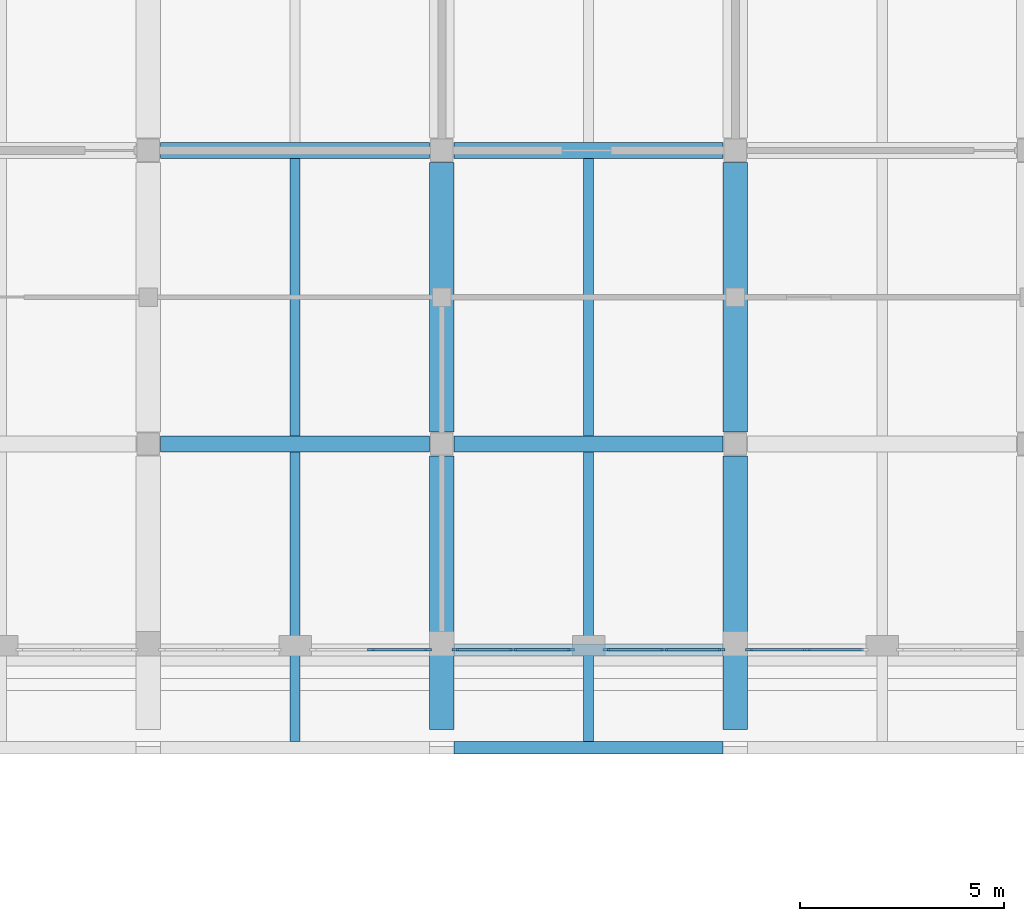
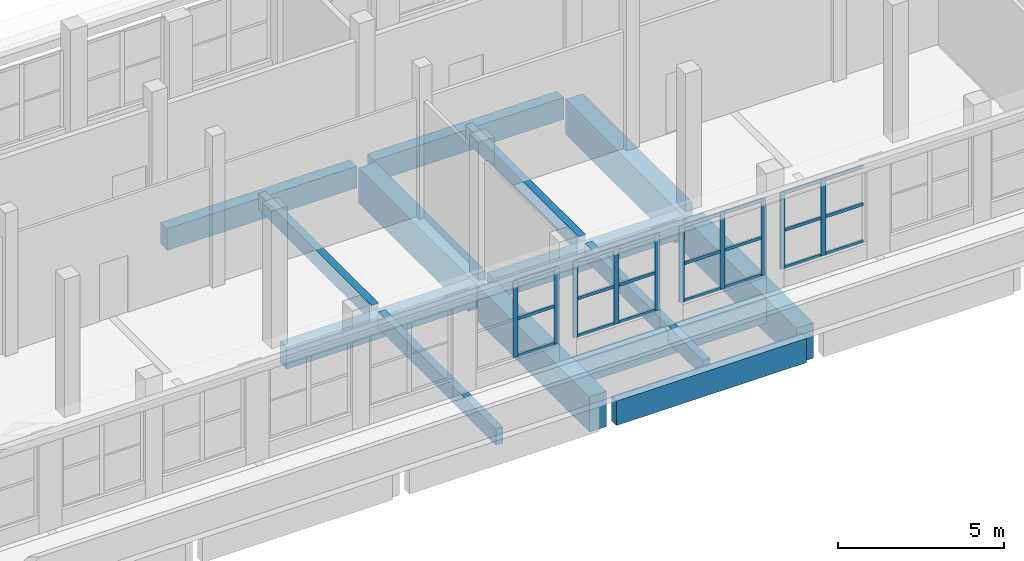
# One storey, part 3 of 30: 31 members, 14 beams, 4 elements without a shape of their own.
"""IFC4 building model written with IfcOpenShell, lengths in metres."""

from ifc_helpers import new_model, si_unit, direction, frame, origin, origin_2d, place, context, subcontext, project, spatial, rectangle, extrude, material, layer, layer_set, material_profile, profile_set, type_object, element, aggregate, save


model = new_model("IFC4")

# Units and contexts
model_context = context("Model", 3, precision=1e-05, world=origin(), true_north=direction((0.0, 1.0)))
body_context = subcontext(model_context, "Body", "Model", "MODEL_VIEW")
ifc_project = project(units=[si_unit("LENGTHUNIT", "METRE"), si_unit("AREAUNIT", "SQUARE_METRE"), si_unit("VOLUMEUNIT", "CUBIC_METRE"), si_unit("PLANEANGLEUNIT", "RADIAN"), si_unit("MASSUNIT", "GRAM", prefix="KILO")], contexts=[model_context])

# Site, building, storey
site_placement = place(None, origin())
site = spatial("IfcSite", under=ifc_project, at=site_placement, CompositionType="ELEMENT")
building_placement = place(site_placement, origin())
building = spatial("IfcBuilding", under=site, at=building_placement, Name="Ussher Court Research Institute", CompositionType="ELEMENT")
storey_placement = place(building_placement, frame((0.0, 0.0, 27.89990234375)))
storey = spatial("IfcBuildingStorey", under=building, at=storey_placement, Name="L06", CompositionType="ELEMENT", Elevation=27.89990234375)

# Curtain wall, members
ifc_material_1 = material(Name="Bronze anodised aluminium with insulated low-e glass", Category="aluminium")
ifc_layer = layer(ifc_material_1, 0.1201171875)
ifc_layer_set = layer_set([ifc_layer], Name="Bronze anodised aluminium with insulated low-e glass")
curtain_wall_type = type_object("IfcCurtainWallType", Name="Curtain wall attic gallery glazing", PredefinedType="NOTDEFINED", material=ifc_layer_set)
curtain_wall_1_placement = place(storey_placement, origin())
curtain_wall_1 = element("IfcCurtainWall", 1, at=curtain_wall_1_placement, inside=storey, type_object=curtain_wall_type, Name="Curtain wall CW11 L06", PredefinedType="NOTDEFINED")
ifc_material_2 = material(Name="Bronze anodised aluminium", Category="aluminium")
ifc_material_profile_1 = material_profile(ifc_material_2, rectangle(XDim=0.06005859375, YDim=0.159912109375, at=origin_2d()), Name="Mullion 60x160")
ifc_profile_set_1 = profile_set([ifc_material_profile_1], Name="Bronze anodised aluminium")
member_type_1 = type_object("IfcMemberType", Name="Mullion 60x160", PredefinedType="MULLION", material=ifc_profile_set_1)
member_1_placement = place(storey_placement, frame((33.550048828125, 70.949951171875, 0.60009765625), z_axis=(0.0, 0.0, 1.0), x_axis=(0.0, -1.0, 0.0)))
member_1 = element("IfcMember", 2, at=member_1_placement, type_object=member_type_1, Name="CW11 mullion 2", PredefinedType="MULLION", context=body_context, shape_type="SweptSolid", body=[
    extrude(rectangle(XDim=0.06005859375, YDim=0.159912109375, at=origin_2d()), origin(), (0.0, 0.0, 1.0), 2.800048828125),
])
member_2_placement = place(storey_placement, frame((32.1298828125, 70.949951171875, 0.60009765625), z_axis=(0.0, 0.0, 1.0), x_axis=(0.0, -1.0, 0.0)))
member_2 = element("IfcMember", 3, at=member_2_placement, type_object=member_type_1, Name="CW11 mullion 3", PredefinedType="MULLION", context=body_context, shape_type="SweptSolid", body=[
    extrude(rectangle(XDim=0.06005859375, YDim=0.159912109375, at=origin_2d()), origin(), (0.0, 0.0, 1.0), 2.800048828125),
])

curtain_wall_2_placement = place(storey_placement, origin())
curtain_wall_2 = element("IfcCurtainWall", 4, at=curtain_wall_2_placement, inside=storey, type_object=curtain_wall_type, Name="Curtain wall CW11 L06", PredefinedType="NOTDEFINED")
member_3_placement = place(storey_placement, frame((31.469970703125, 70.949951171875, 0.60009765625), z_axis=(0.0, 0.0, 1.0), x_axis=(0.0, -1.0, 0.0)))
member_3 = element("IfcMember", 5, at=member_3_placement, type_object=member_type_1, Name="CW11 mullion 1", PredefinedType="MULLION", context=body_context, shape_type="SweptSolid", body=[
    extrude(rectangle(XDim=0.06005859375, YDim=0.159912109375, at=origin_2d()), origin(), (0.0, 0.0, 1.0), 2.800048828125),
])
member_4_placement = place(storey_placement, frame((30.050048828125, 70.949951171875, 0.60009765625), z_axis=(0.0, 0.0, 1.0), x_axis=(0.0, -1.0, 0.0)))
member_4 = element("IfcMember", 6, at=member_4_placement, type_object=member_type_1, Name="CW11 mullion 2", PredefinedType="MULLION", context=body_context, shape_type="SweptSolid", body=[
    extrude(rectangle(XDim=0.06005859375, YDim=0.159912109375, at=origin_2d()), origin(), (0.0, 0.0, 1.0), 2.800048828125),
])
member_5_placement = place(storey_placement, frame((28.6298828125, 70.949951171875, 0.60009765625), z_axis=(0.0, 0.0, 1.0), x_axis=(0.0, -1.0, 0.0)))
member_5 = element("IfcMember", 7, at=member_5_placement, type_object=member_type_1, Name="CW11 mullion 3", PredefinedType="MULLION", context=body_context, shape_type="SweptSolid", body=[
    extrude(rectangle(XDim=0.06005859375, YDim=0.159912109375, at=origin_2d()), origin(), (0.0, 0.0, 1.0), 2.800048828125),
])

curtain_wall_3_placement = place(storey_placement, origin())
curtain_wall_3 = element("IfcCurtainWall", 8, at=curtain_wall_3_placement, inside=storey, type_object=curtain_wall_type, Name="Curtain wall CW11 L06", PredefinedType="NOTDEFINED")
member_6_placement = place(storey_placement, frame((27.77001953125, 70.949951171875, 0.60009765625), z_axis=(0.0, 0.0, 1.0), x_axis=(0.0, -1.0, 0.0)))
member_6 = element("IfcMember", 9, at=member_6_placement, type_object=member_type_1, Name="CW11 mullion 1", PredefinedType="MULLION", context=body_context, shape_type="SweptSolid", body=[
    extrude(rectangle(XDim=0.06005859375, YDim=0.159912109375, at=origin_2d()), origin(), (0.0, 0.0, 1.0), 2.800048828125),
])
member_7_placement = place(storey_placement, frame((26.35009765625, 70.949951171875, 0.60009765625), z_axis=(0.0, 0.0, 1.0), x_axis=(0.0, -1.0, 0.0)))
member_7 = element("IfcMember", 10, at=member_7_placement, type_object=member_type_1, Name="CW11 mullion 2", PredefinedType="MULLION", context=body_context, shape_type="SweptSolid", body=[
    extrude(rectangle(XDim=0.06005859375, YDim=0.159912109375, at=origin_2d()), origin(), (0.0, 0.0, 1.0), 2.800048828125),
])
member_8_placement = place(storey_placement, frame((24.929931640625, 70.949951171875, 0.60009765625), z_axis=(0.0, 0.0, 1.0), x_axis=(0.0, -1.0, 0.0)))
member_8 = element("IfcMember", 11, at=member_8_placement, type_object=member_type_1, Name="CW11 mullion 3", PredefinedType="MULLION", context=body_context, shape_type="SweptSolid", body=[
    extrude(rectangle(XDim=0.06005859375, YDim=0.159912109375, at=origin_2d()), origin(), (0.0, 0.0, 1.0), 2.800048828125),
])

curtain_wall_4_placement = place(storey_placement, origin())
curtain_wall_4 = element("IfcCurtainWall", 12, at=curtain_wall_4_placement, inside=storey, type_object=curtain_wall_type, Name="Curtain wall CW11 L06", PredefinedType="NOTDEFINED")
member_9_placement = place(storey_placement, frame((24.27001953125, 70.949951171875, 0.60009765625), z_axis=(0.0, 0.0, 1.0), x_axis=(0.0, -1.0, 0.0)))
member_9 = element("IfcMember", 13, at=member_9_placement, type_object=member_type_1, Name="CW11 mullion 1", PredefinedType="MULLION", context=body_context, shape_type="SweptSolid", body=[
    extrude(rectangle(XDim=0.06005859375, YDim=0.159912109375, at=origin_2d()), origin(), (0.0, 0.0, 1.0), 2.800048828125),
])
member_10_placement = place(storey_placement, frame((22.85009765625, 70.949951171875, 0.60009765625), z_axis=(0.0, 0.0, 1.0), x_axis=(0.0, -1.0, 0.0)))
member_10 = element("IfcMember", 14, at=member_10_placement, type_object=member_type_1, Name="CW11 mullion 2", PredefinedType="MULLION", context=body_context, shape_type="SweptSolid", body=[
    extrude(rectangle(XDim=0.06005859375, YDim=0.159912109375, at=origin_2d()), origin(), (0.0, 0.0, 1.0), 2.800048828125),
])

# Beams
ifc_material_3 = material(Name="Concrete C35/45", Category="concrete")
ifc_material_profile_2 = material_profile(ifc_material_3, rectangle(XDim=0.25, YDim=0.60009765625, at=origin_2d()), Name="RC 250x600")
ifc_profile_set_2 = profile_set([ifc_material_profile_2], Name="Concrete C35/45")
beam_type_1 = type_object("IfcBeamType", Name="RC 250x600 beam", PredefinedType="BEAM", material=ifc_profile_set_2)
beam_1_placement = place(storey_placement, frame((21.0, 68.699951171875, -0.2998046875), z_axis=(0.0, 1.0, 0.0), x_axis=(-1.0, 0.0, 0.0)))
element("IfcBeam", 15, at=beam_1_placement, inside=storey, type_object=beam_type_1, Name="B14 V5 L06-05", PredefinedType="BEAM", context=body_context, shape_type="SweptSolid", body=[
    extrude(rectangle(XDim=0.25, YDim=0.60009765625, at=origin_2d()), origin(), (0.0, 0.0, 1.0), 7.10009765625),
])
beam_2_placement = place(storey_placement, frame((21.0, 76.199951171875, -0.2998046875), z_axis=(0.0, 1.0, 0.0), x_axis=(-1.0, 0.0, 0.0)))
element("IfcBeam", 16, at=beam_2_placement, inside=storey, type_object=beam_type_1, Name="B14 V5 L06-06", PredefinedType="BEAM", context=body_context, shape_type="SweptSolid", body=[
    extrude(rectangle(XDim=0.25, YDim=0.60009765625, at=origin_2d()), origin(), (0.0, 0.0, 1.0), 6.800048828125),
])
beam_3_placement = place(storey_placement, frame((28.199951171875, 68.699951171875, -0.2998046875), z_axis=(0.0, 1.0, 0.0), x_axis=(-1.0, 0.0, 0.0)))
element("IfcBeam", 17, at=beam_3_placement, inside=storey, type_object=beam_type_1, Name="B14 V5 L06-08", PredefinedType="BEAM", context=body_context, shape_type="SweptSolid", body=[
    extrude(rectangle(XDim=0.25, YDim=0.60009765625, at=origin_2d()), origin(), (0.0, 0.0, 1.0), 7.10009765625),
])
beam_4_placement = place(storey_placement, frame((28.199951171875, 76.199951171875, -0.2998046875), z_axis=(0.0, 1.0, 0.0), x_axis=(-1.0, 0.0, 0.0)))
element("IfcBeam", 18, at=beam_4_placement, inside=storey, type_object=beam_type_1, Name="B14 V5 L06-09", PredefinedType="BEAM", context=body_context, shape_type="SweptSolid", body=[
    extrude(rectangle(XDim=0.25, YDim=0.60009765625, at=origin_2d()), origin(), (0.0, 0.0, 1.0), 6.800048828125),
])
ifc_material_4 = material(Name="Concrete C35/45", Category="concrete")
ifc_material_profile_3 = material_profile(ifc_material_4, rectangle(XDim=0.300048828125, YDim=0.89990234375, at=origin_2d()), Name="RC 300x900")
ifc_profile_set_3 = profile_set([ifc_material_profile_3], Name="Concrete C35/45")
beam_type_2 = type_object("IfcBeamType", Name="RC 300x900 beam", PredefinedType="BEAM", material=ifc_profile_set_3)
for number, where, z_axis, x_axis, name in (
    (19, (24.89990234375, 68.550048828125, -0.64990234375), (1.0, 0.0, 0.0), (0.0, 1.0, 0.0), "SB2 V5 L06-04"),
    (20, (24.89990234375, 70.949951171875, -0.64990234375), (1.0, 0.0, 0.0), (0.0, 1.0, 0.0), "SB2 V5 L06-26"),
):
    element("IfcBeam", number, at=place(storey_placement, frame(where, z_axis=z_axis, x_axis=x_axis)), inside=storey, type_object=beam_type_2, Name=name, PredefinedType="BEAM", context=body_context, shape_type="SweptSolid", body=[
        extrude(rectangle(XDim=0.300048828125, YDim=0.89990234375, at=origin_2d()), origin(), (0.0, 0.0, 1.0), 6.60009765625),
    ])
ifc_material_5 = material(Name="Concrete C35/45", Category="concrete")
ifc_material_profile_4 = material_profile(ifc_material_5, rectangle(XDim=0.39990234375, YDim=0.800048828125, at=origin_2d()), Name="RC 400x800")
ifc_profile_set_4 = profile_set([ifc_material_profile_4], Name="Concrete C35/45")
beam_type_3 = type_object("IfcBeamType", Name="RC 400x800 beam", PredefinedType="BEAM", material=ifc_profile_set_4)
for number, where, z_axis, x_axis, name in (
    (21, (17.699951171875, 76.0, -0.599853515625), (1.0, 0.0, 0.0), (0.0, 1.0, 0.0), "B17 V5 L06-03"),
    (22, (24.89990234375, 76.0, -0.599853515625), (1.0, 0.0, 0.0), (0.0, 1.0, 0.0), "B17 V5 L06-04"),
    (23, (17.699951171875, 83.199951171875, -0.599853515625), (1.0, 0.0, 0.0), (0.0, 1.0, 0.0), "B17 V5 L06-13"),
    (24, (24.89990234375, 83.199951171875, -0.599853515625), (1.0, 0.0, 0.0), (0.0, 1.0, 0.0), "B17 V5 L06-14"),
):
    element("IfcBeam", number, at=place(storey_placement, frame(where, z_axis=z_axis, x_axis=x_axis)), inside=storey, type_object=beam_type_3, Name=name, PredefinedType="BEAM", context=body_context, shape_type="SweptSolid", body=[
        extrude(rectangle(XDim=0.39990234375, YDim=0.800048828125, at=origin_2d()), origin(), (0.0, 0.0, 1.0), 6.60009765625),
    ])
ifc_material_6 = material(Name="Concrete C35/45", Category="concrete")
ifc_material_profile_5 = material_profile(ifc_material_6, rectangle(XDim=0.60009765625, YDim=1.300048828125, at=origin_2d()), Name="RC 600x1300")
ifc_profile_set_5 = profile_set([ifc_material_profile_5], Name="Concrete C35/45")
beam_type_4 = type_object("IfcBeamType", Name="RC 600x1300 beam", PredefinedType="BEAM", material=ifc_profile_set_5)
beam_5_placement = place(storey_placement, frame((24.60009765625, 69.0, -0.849853515625), z_axis=(0.0, 1.0, 0.0), x_axis=(-1.0, 0.0, 0.0)))
element("IfcBeam", 25, at=beam_5_placement, inside=storey, type_object=beam_type_4, Name="TB1 V5 L06-08", PredefinedType="BEAM", context=body_context, shape_type="SweptSolid", body=[
    extrude(rectangle(XDim=0.60009765625, YDim=1.300048828125, at=origin_2d()), origin(), (0.0, 0.0, 1.0), 6.699951171875),
])
beam_6_placement = place(storey_placement, frame((24.60009765625, 76.300048828125, -0.849853515625), z_axis=(0.0, 1.0, 0.0), x_axis=(-1.0, 0.0, 0.0)))
element("IfcBeam", 26, at=beam_6_placement, inside=storey, type_object=beam_type_4, Name="TB1 V5 L06-09", PredefinedType="BEAM", context=body_context, shape_type="SweptSolid", body=[
    extrude(rectangle(XDim=0.60009765625, YDim=1.300048828125, at=origin_2d()), origin(), (0.0, 0.0, 1.0), 6.599853515625),
])
beam_7_placement = place(storey_placement, frame((31.800048828125, 69.0, -0.849853515625), z_axis=(0.0, 1.0, 0.0), x_axis=(-1.0, 0.0, 0.0)))
element("IfcBeam", 27, at=beam_7_placement, inside=storey, type_object=beam_type_4, Name="TB1 V5 L06-11", PredefinedType="BEAM", context=body_context, shape_type="SweptSolid", body=[
    extrude(rectangle(XDim=0.60009765625, YDim=1.300048828125, at=origin_2d()), origin(), (0.0, 0.0, 1.0), 6.699951171875),
])
beam_8_placement = place(storey_placement, frame((31.800048828125, 76.300048828125, -0.849853515625), z_axis=(0.0, 1.0, 0.0), x_axis=(-1.0, 0.0, 0.0)))
element("IfcBeam", 28, at=beam_8_placement, inside=storey, type_object=beam_type_4, Name="TB1 V5 L06-12", PredefinedType="BEAM", context=body_context, shape_type="SweptSolid", body=[
    extrude(rectangle(XDim=0.60009765625, YDim=1.300048828125, at=origin_2d()), origin(), (0.0, 0.0, 1.0), 6.599853515625),
])

# Member
ifc_material_7 = material(Name="Bronze anodised aluminium", Category="aluminium")
ifc_material_profile_6 = material_profile(ifc_material_7, rectangle(XDim=0.06005859375, YDim=0.1201171875, at=origin_2d()), Name="Transom 60x120")
ifc_profile_set_6 = profile_set([ifc_material_profile_6], Name="Bronze anodised aluminium")
member_type_2 = type_object("IfcMemberType", Name="Transom 60x120", PredefinedType="USERDEFINED", material=ifc_profile_set_6)
member_11_placement = place(storey_placement, frame((34.93994140625, 70.949951171875, 0.630126953125), z_axis=(-1.0, 0.0, 0.0), x_axis=(0.0, -1.0, 0.0)))
member_11 = element("IfcMember", 29, at=member_11_placement, type_object=member_type_2, Name="CW11 transom 1.1", ObjectType="TRANSOM", PredefinedType="USERDEFINED", context=body_context, shape_type="SweptSolid", body=[
    extrude(rectangle(XDim=0.06005859375, YDim=0.1201171875, at=origin_2d()), origin(), (0.0, 0.0, 1.0), 1.35986328125),
])

member_12_placement = place(storey_placement, frame((34.93994140625, 70.949951171875, 2.0), z_axis=(-1.0, 0.0, 0.0), x_axis=(0.0, -1.0, 0.0)))
member_12 = element("IfcMember", 30, at=member_12_placement, type_object=member_type_2, Name="CW11 transom 1.2", ObjectType="TRANSOM", PredefinedType="USERDEFINED", context=body_context, shape_type="SweptSolid", body=[
    extrude(rectangle(XDim=0.06005859375, YDim=0.1201171875, at=origin_2d()), origin(), (0.0, 0.0, 1.0), 1.35986328125),
])

member_13_placement = place(storey_placement, frame((34.93994140625, 70.949951171875, 3.3701171875), z_axis=(-1.0, 0.0, 0.0), x_axis=(0.0, -1.0, 0.0)))
member_13 = element("IfcMember", 31, at=member_13_placement, type_object=member_type_2, Name="CW11 transom 1.3", ObjectType="TRANSOM", PredefinedType="USERDEFINED", context=body_context, shape_type="SweptSolid", body=[
    extrude(rectangle(XDim=0.06005859375, YDim=0.1201171875, at=origin_2d()), origin(), (0.0, 0.0, 1.0), 1.35986328125),
])

member_14_placement = place(storey_placement, frame((33.52001953125, 70.949951171875, 0.630126953125), z_axis=(-1.0, 0.0, 0.0), x_axis=(0.0, -1.0, 0.0)))
member_14 = element("IfcMember", 32, at=member_14_placement, type_object=member_type_2, Name="CW11 transom 2.1", ObjectType="TRANSOM", PredefinedType="USERDEFINED", context=body_context, shape_type="SweptSolid", body=[
    extrude(rectangle(XDim=0.06005859375, YDim=0.1201171875, at=origin_2d()), origin(), (0.0, 0.0, 1.0), 1.360107421875),
])

member_15_placement = place(storey_placement, frame((33.52001953125, 70.949951171875, 2.0), z_axis=(-1.0, 0.0, 0.0), x_axis=(0.0, -1.0, 0.0)))
member_15 = element("IfcMember", 33, at=member_15_placement, type_object=member_type_2, Name="CW11 transom 2.2", ObjectType="TRANSOM", PredefinedType="USERDEFINED", context=body_context, shape_type="SweptSolid", body=[
    extrude(rectangle(XDim=0.06005859375, YDim=0.1201171875, at=origin_2d()), origin(), (0.0, 0.0, 1.0), 1.360107421875),
])

member_16_placement = place(storey_placement, frame((33.52001953125, 70.949951171875, 3.3701171875), z_axis=(-1.0, 0.0, 0.0), x_axis=(0.0, -1.0, 0.0)))
member_16 = element("IfcMember", 34, at=member_16_placement, type_object=member_type_2, Name="CW11 transom 2.3", ObjectType="TRANSOM", PredefinedType="USERDEFINED", context=body_context, shape_type="SweptSolid", body=[
    extrude(rectangle(XDim=0.06005859375, YDim=0.1201171875, at=origin_2d()), origin(), (0.0, 0.0, 1.0), 1.360107421875),
])

aggregate(curtain_wall_1, [member_1, member_2, member_11, member_12, member_13, member_14, member_15, member_16])

member_17_placement = place(storey_placement, frame((31.43994140625, 70.949951171875, 0.630126953125), z_axis=(-1.0, 0.0, 0.0), x_axis=(0.0, -1.0, 0.0)))
member_17 = element("IfcMember", 35, at=member_17_placement, type_object=member_type_2, Name="CW11 transom 1.1", ObjectType="TRANSOM", PredefinedType="USERDEFINED", context=body_context, shape_type="SweptSolid", body=[
    extrude(rectangle(XDim=0.06005859375, YDim=0.1201171875, at=origin_2d()), origin(), (0.0, 0.0, 1.0), 1.35986328125),
])

member_18_placement = place(storey_placement, frame((31.43994140625, 70.949951171875, 2.0), z_axis=(-1.0, 0.0, 0.0), x_axis=(0.0, -1.0, 0.0)))
member_18 = element("IfcMember", 36, at=member_18_placement, type_object=member_type_2, Name="CW11 transom 1.2", ObjectType="TRANSOM", PredefinedType="USERDEFINED", context=body_context, shape_type="SweptSolid", body=[
    extrude(rectangle(XDim=0.06005859375, YDim=0.1201171875, at=origin_2d()), origin(), (0.0, 0.0, 1.0), 1.35986328125),
])

member_19_placement = place(storey_placement, frame((31.43994140625, 70.949951171875, 3.3701171875), z_axis=(-1.0, 0.0, 0.0), x_axis=(0.0, -1.0, 0.0)))
member_19 = element("IfcMember", 37, at=member_19_placement, type_object=member_type_2, Name="CW11 transom 1.3", ObjectType="TRANSOM", PredefinedType="USERDEFINED", context=body_context, shape_type="SweptSolid", body=[
    extrude(rectangle(XDim=0.06005859375, YDim=0.1201171875, at=origin_2d()), origin(), (0.0, 0.0, 1.0), 1.35986328125),
])

member_20_placement = place(storey_placement, frame((30.02001953125, 70.949951171875, 0.630126953125), z_axis=(-1.0, 0.0, 0.0), x_axis=(0.0, -1.0, 0.0)))
member_20 = element("IfcMember", 38, at=member_20_placement, type_object=member_type_2, Name="CW11 transom 2.1", ObjectType="TRANSOM", PredefinedType="USERDEFINED", context=body_context, shape_type="SweptSolid", body=[
    extrude(rectangle(XDim=0.06005859375, YDim=0.1201171875, at=origin_2d()), origin(), (0.0, 0.0, 1.0), 1.360107421875),
])

member_21_placement = place(storey_placement, frame((30.02001953125, 70.949951171875, 2.0), z_axis=(-1.0, 0.0, 0.0), x_axis=(0.0, -1.0, 0.0)))
member_21 = element("IfcMember", 39, at=member_21_placement, type_object=member_type_2, Name="CW11 transom 2.2", ObjectType="TRANSOM", PredefinedType="USERDEFINED", context=body_context, shape_type="SweptSolid", body=[
    extrude(rectangle(XDim=0.06005859375, YDim=0.1201171875, at=origin_2d()), origin(), (0.0, 0.0, 1.0), 1.360107421875),
])

member_22_placement = place(storey_placement, frame((30.02001953125, 70.949951171875, 3.3701171875), z_axis=(-1.0, 0.0, 0.0), x_axis=(0.0, -1.0, 0.0)))
member_22 = element("IfcMember", 40, at=member_22_placement, type_object=member_type_2, Name="CW11 transom 2.3", ObjectType="TRANSOM", PredefinedType="USERDEFINED", context=body_context, shape_type="SweptSolid", body=[
    extrude(rectangle(XDim=0.06005859375, YDim=0.1201171875, at=origin_2d()), origin(), (0.0, 0.0, 1.0), 1.360107421875),
])

aggregate(curtain_wall_2, [member_3, member_4, member_5, member_17, member_18, member_19, member_20, member_21, member_22])

member_23_placement = place(storey_placement, frame((27.739990234375, 70.949951171875, 0.630126953125), z_axis=(-1.0, 0.0, 0.0), x_axis=(0.0, -1.0, 0.0)))
member_23 = element("IfcMember", 41, at=member_23_placement, type_object=member_type_2, Name="CW11 transom 1.1", ObjectType="TRANSOM", PredefinedType="USERDEFINED", context=body_context, shape_type="SweptSolid", body=[
    extrude(rectangle(XDim=0.06005859375, YDim=0.1201171875, at=origin_2d()), origin(), (0.0, 0.0, 1.0), 1.360107421875),
])

member_24_placement = place(storey_placement, frame((27.739990234375, 70.949951171875, 2.0), z_axis=(-1.0, 0.0, 0.0), x_axis=(0.0, -1.0, 0.0)))
member_24 = element("IfcMember", 42, at=member_24_placement, type_object=member_type_2, Name="CW11 transom 1.2", ObjectType="TRANSOM", PredefinedType="USERDEFINED", context=body_context, shape_type="SweptSolid", body=[
    extrude(rectangle(XDim=0.06005859375, YDim=0.1201171875, at=origin_2d()), origin(), (0.0, 0.0, 1.0), 1.360107421875),
])

member_25_placement = place(storey_placement, frame((27.739990234375, 70.949951171875, 3.3701171875), z_axis=(-1.0, 0.0, 0.0), x_axis=(0.0, -1.0, 0.0)))
member_25 = element("IfcMember", 43, at=member_25_placement, type_object=member_type_2, Name="CW11 transom 1.3", ObjectType="TRANSOM", PredefinedType="USERDEFINED", context=body_context, shape_type="SweptSolid", body=[
    extrude(rectangle(XDim=0.06005859375, YDim=0.1201171875, at=origin_2d()), origin(), (0.0, 0.0, 1.0), 1.360107421875),
])

member_26_placement = place(storey_placement, frame((26.320068359375, 70.949951171875, 0.630126953125), z_axis=(-1.0, 0.0, 0.0), x_axis=(0.0, -1.0, 0.0)))
member_26 = element("IfcMember", 44, at=member_26_placement, type_object=member_type_2, Name="CW11 transom 2.1", ObjectType="TRANSOM", PredefinedType="USERDEFINED", context=body_context, shape_type="SweptSolid", body=[
    extrude(rectangle(XDim=0.06005859375, YDim=0.1201171875, at=origin_2d()), origin(), (0.0, 0.0, 1.0), 1.360107421875),
])

member_27_placement = place(storey_placement, frame((26.320068359375, 70.949951171875, 2.0), z_axis=(-1.0, 0.0, 0.0), x_axis=(0.0, -1.0, 0.0)))
member_27 = element("IfcMember", 45, at=member_27_placement, type_object=member_type_2, Name="CW11 transom 2.2", ObjectType="TRANSOM", PredefinedType="USERDEFINED", context=body_context, shape_type="SweptSolid", body=[
    extrude(rectangle(XDim=0.06005859375, YDim=0.1201171875, at=origin_2d()), origin(), (0.0, 0.0, 1.0), 1.360107421875),
])

member_28_placement = place(storey_placement, frame((26.320068359375, 70.949951171875, 3.3701171875), z_axis=(-1.0, 0.0, 0.0), x_axis=(0.0, -1.0, 0.0)))
member_28 = element("IfcMember", 46, at=member_28_placement, type_object=member_type_2, Name="CW11 transom 2.3", ObjectType="TRANSOM", PredefinedType="USERDEFINED", context=body_context, shape_type="SweptSolid", body=[
    extrude(rectangle(XDim=0.06005859375, YDim=0.1201171875, at=origin_2d()), origin(), (0.0, 0.0, 1.0), 1.360107421875),
])

aggregate(curtain_wall_3, [member_6, member_7, member_8, member_23, member_24, member_25, member_26, member_27, member_28])

member_29_placement = place(storey_placement, frame((24.239990234375, 70.949951171875, 0.630126953125), z_axis=(-1.0, 0.0, 0.0), x_axis=(0.0, -1.0, 0.0)))
member_29 = element("IfcMember", 47, at=member_29_placement, type_object=member_type_2, Name="CW11 transom 1.1", ObjectType="TRANSOM", PredefinedType="USERDEFINED", context=body_context, shape_type="SweptSolid", body=[
    extrude(rectangle(XDim=0.06005859375, YDim=0.1201171875, at=origin_2d()), origin(), (0.0, 0.0, 1.0), 1.360107421875),
])

member_30_placement = place(storey_placement, frame((24.239990234375, 70.949951171875, 2.0), z_axis=(-1.0, 0.0, 0.0), x_axis=(0.0, -1.0, 0.0)))
member_30 = element("IfcMember", 48, at=member_30_placement, type_object=member_type_2, Name="CW11 transom 1.2", ObjectType="TRANSOM", PredefinedType="USERDEFINED", context=body_context, shape_type="SweptSolid", body=[
    extrude(rectangle(XDim=0.06005859375, YDim=0.1201171875, at=origin_2d()), origin(), (0.0, 0.0, 1.0), 1.360107421875),
])

member_31_placement = place(storey_placement, frame((24.239990234375, 70.949951171875, 3.3701171875), z_axis=(-1.0, 0.0, 0.0), x_axis=(0.0, -1.0, 0.0)))
member_31 = element("IfcMember", 49, at=member_31_placement, type_object=member_type_2, Name="CW11 transom 1.3", ObjectType="TRANSOM", PredefinedType="USERDEFINED", context=body_context, shape_type="SweptSolid", body=[
    extrude(rectangle(XDim=0.06005859375, YDim=0.1201171875, at=origin_2d()), origin(), (0.0, 0.0, 1.0), 1.360107421875),
])

aggregate(curtain_wall_4, [member_9, member_10, member_29, member_30, member_31])

save(model, "model.ifc")
